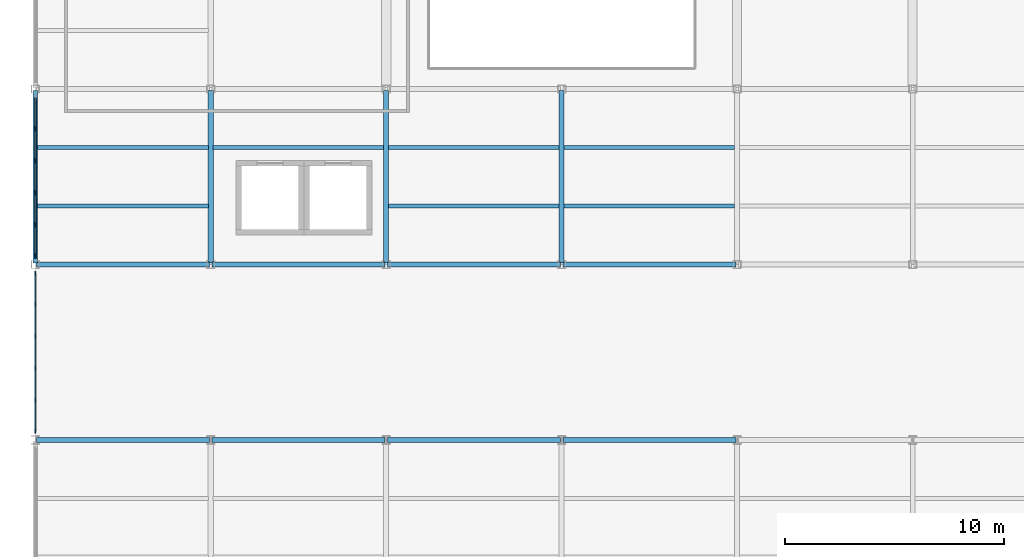
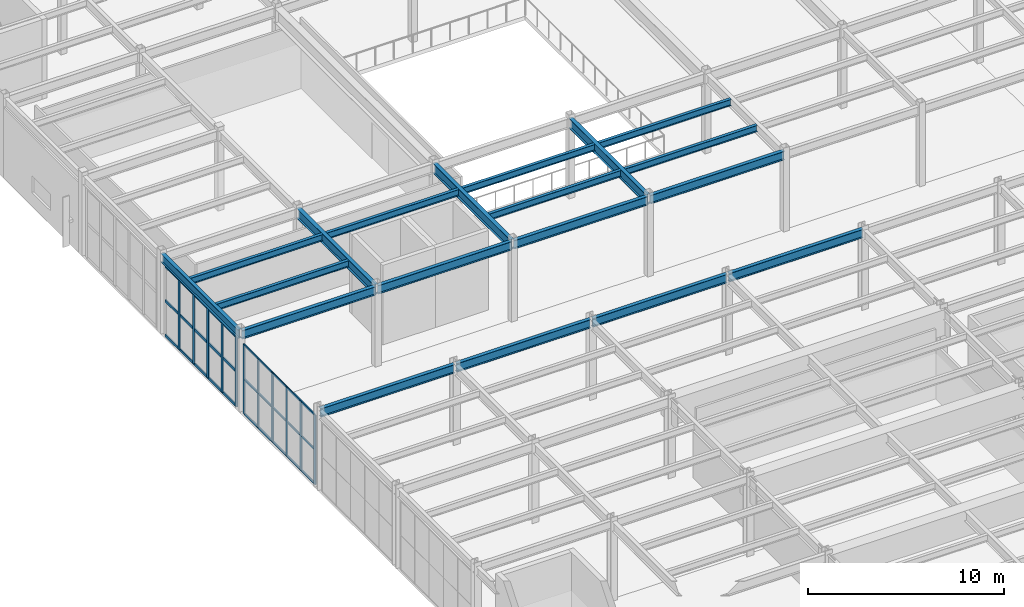
# One storey, part 25 of 77: 19 beams, 17 members, 2 elements without a shape of their own.
"""IFC4 building model written with IfcOpenShell, lengths in metres."""

from ifc_helpers import new_model, si_unit, direction, frame, origin, origin_2d, place, context, subcontext, project, spatial, rectangle, i_section, extrude, material, material_profile, profile_set, type_object, element, aggregate, save


model = new_model("IFC4")

# Units and contexts
model_context = context("Model", 3, precision=1e-05, world=origin(), true_north=direction((0.0, 1.0)))
body_context = subcontext(model_context, "Body", "Model", "MODEL_VIEW")
ifc_project = project(units=[si_unit("LENGTHUNIT", "METRE"), si_unit("AREAUNIT", "SQUARE_METRE"), si_unit("VOLUMEUNIT", "CUBIC_METRE"), si_unit("PLANEANGLEUNIT", "RADIAN"), si_unit("MASSUNIT", "GRAM", prefix="KILO")], contexts=[model_context])

# Site, building, storey
site_placement = place(None, origin())
site = spatial("IfcSite", under=ifc_project, at=site_placement, CompositionType="ELEMENT")
building_placement = place(site_placement, origin())
building = spatial("IfcBuilding", under=site, at=building_placement, Name="Drelvath Fold Interchange", CompositionType="ELEMENT")
storey_placement = place(building_placement, frame((0.0, 0.0, 6.0)))
storey = spatial("IfcBuildingStorey", under=building, at=storey_placement, Name="L01", CompositionType="ELEMENT", Elevation=6.0)

# Beams
ifc_material_1 = material(Name="Steel ASTM A992 Grade 50", Category="steel")
ifc_material_profile_1 = material_profile(ifc_material_1, i_section(OverallWidth=0.177978515625, OverallDepth=0.403076171875, WebThickness=0.007568359375, FlangeThickness=0.010986328125, at=origin_2d()), Name="W16X36")
ifc_profile_set_1 = profile_set([ifc_material_profile_1], Name="Steel ASTM A992 Grade 50")
beam_type_1 = type_object("IfcBeamType", Name="BM-W16X36", PredefinedType="JOIST", material=ifc_profile_set_1)
for number, where, z_axis, x_axis, name in (
    (1, (4.10302734375, 61.6669921875, 4.748046875), (1.0, 0.0, 0.0), (0.0, 1.0, 0.0), "L01 Secondary floor joist BM-W16X36"),
    (2, (4.10302734375, 64.3330078125, 4.748046875), (1.0, 0.0, 0.0), (0.0, 1.0, 0.0), "L01 Secondary floor joist BM-W16X36"),
):
    element("IfcBeam", number, at=place(storey_placement, frame(where, z_axis=z_axis, x_axis=x_axis)), inside=storey, type_object=beam_type_1, Name=name, PredefinedType="JOIST", context=body_context, shape_type="SweptSolid", body=[
        extrude(i_section(OverallWidth=0.177978515625, OverallDepth=0.403076171875, WebThickness=0.007568359375, FlangeThickness=0.010986328125, at=origin_2d()), origin(), (0.0, 0.0, 1.0), 7.783935546875),
    ])
for number, where, z_axis, x_axis, name in (
    (3, (12.113037109375, 64.3330078125, 4.748046875), (1.0, 0.0, 0.0), (0.0, 1.0, 0.0), "L01 Secondary floor joist BM-W16X36"),
    (4, (20.113037109375, 61.6669921875, 4.748046875), (1.0, 0.0, 0.0), (0.0, 1.0, 0.0), "L01 Secondary floor joist BM-W16X36"),
    (5, (20.113037109375, 64.3330078125, 4.748046875), (1.0, 0.0, 0.0), (0.0, 1.0, 0.0), "L01 Secondary floor joist BM-W16X36"),
    (6, (28.113037109375, 61.6669921875, 4.748046875), (1.0, 0.0, 0.0), (0.0, 1.0, 0.0), "L01 Secondary floor joist BM-W16X36"),
    (7, (28.113037109375, 64.3330078125, 4.748046875), (1.0, 0.0, 0.0), (0.0, 1.0, 0.0), "L01 Secondary floor joist BM-W16X36"),
):
    element("IfcBeam", number, at=place(storey_placement, frame(where, z_axis=z_axis, x_axis=x_axis)), inside=storey, type_object=beam_type_1, Name=name, PredefinedType="JOIST", context=body_context, shape_type="SweptSolid", body=[
        extrude(i_section(OverallWidth=0.177978515625, OverallDepth=0.403076171875, WebThickness=0.007568359375, FlangeThickness=0.010986328125, at=origin_2d()), origin(), (0.0, 0.0, 1.0), 7.77392578125),
    ])
ifc_material_profile_2 = material_profile(ifc_material_1, i_section(OverallWidth=0.2099609375, OverallDepth=0.537109375, WebThickness=0.010986328125, FlangeThickness=0.017333984375, at=origin_2d()), Name="W21X68")
ifc_profile_set_2 = profile_set([ifc_material_profile_2], Name="Steel ASTM A992 Grade 50")
beam_type_2 = type_object("IfcBeamType", Name="BM-W21X68", PredefinedType="SPANDREL", material=ifc_profile_set_2)
for number, where, z_axis, x_axis, name in (
    (8, (4.06005859375, 51.0, 4.680908203125), (1.0, 0.0, 0.0), (0.0, 1.0, 0.0), "L01 Primary X girder BM-W21X68"),
    (9, (12.06005859375, 51.0, 4.680908203125), (1.0, 0.0, 0.0), (0.0, 1.0, 0.0), "L01 Primary X girder BM-W21X68"),
    (10, (20.06005859375, 51.0, 4.680908203125), (1.0, 0.0, 0.0), (0.0, 1.0, 0.0), "L01 Primary X girder BM-W21X68"),
    (11, (28.06005859375, 51.0, 4.680908203125), (1.0, 0.0, 0.0), (0.0, 1.0, 0.0), "L01 Primary X girder BM-W21X68"),
    (12, (4.06005859375, 59.0, 4.680908203125), (1.0, 0.0, 0.0), (0.0, 1.0, 0.0), "L01 Primary X girder BM-W21X68"),
    (13, (12.06005859375, 59.0, 4.680908203125), (1.0, 0.0, 0.0), (0.0, 1.0, 0.0), "L01 Primary X girder BM-W21X68"),
    (14, (20.06005859375, 59.0, 4.680908203125), (1.0, 0.0, 0.0), (0.0, 1.0, 0.0), "L01 Primary X girder BM-W21X68"),
    (15, (28.06005859375, 59.0, 4.680908203125), (1.0, 0.0, 0.0), (0.0, 1.0, 0.0), "L01 Primary X girder BM-W21X68"),
    (16, (4.0, 59.06005859375, 4.680908203125), (0.0, 1.0, 0.0), (-1.0, 0.0, 0.0), "L01 Primary Y girder BM-W21X68"),
):
    element("IfcBeam", number, at=place(storey_placement, frame(where, z_axis=z_axis, x_axis=x_axis)), inside=storey, type_object=beam_type_2, Name=name, PredefinedType="SPANDREL", context=body_context, shape_type="SweptSolid", body=[
        extrude(i_section(OverallWidth=0.2099609375, OverallDepth=0.537109375, WebThickness=0.010986328125, FlangeThickness=0.017333984375, at=origin_2d()), origin(), (0.0, 0.0, 1.0), 7.8798828125),
    ])
ifc_material_profile_3 = material_profile(ifc_material_1, i_section(OverallWidth=0.22998046875, OverallDepth=0.616943359375, WebThickness=0.01318359375, FlangeThickness=0.022216796875, at=origin_2d()), Name="W24X94")
ifc_profile_set_3 = profile_set([ifc_material_profile_3], Name="Steel ASTM A992 Grade 50")
beam_type_3 = type_object("IfcBeamType", Name="BM-W24X94", PredefinedType="BEAM", material=ifc_profile_set_3)
for number, where, z_axis, x_axis, name in (
    (17, (12.0, 59.06005859375, 4.64111328125), (0.0, 1.0, 0.0), (-1.0, 0.0, 0.0), "L01 Primary Y girder BM-W24X94"),
    (18, (20.0, 59.06005859375, 4.64111328125), (0.0, 1.0, 0.0), (-1.0, 0.0, 0.0), "L01 Primary Y girder BM-W24X94"),
    (19, (28.0, 59.06005859375, 4.64111328125), (0.0, 1.0, 0.0), (-1.0, 0.0, 0.0), "L01 Primary Y girder BM-W24X94"),
):
    element("IfcBeam", number, at=place(storey_placement, frame(where, z_axis=z_axis, x_axis=x_axis)), inside=storey, type_object=beam_type_3, Name=name, PredefinedType="BEAM", context=body_context, shape_type="SweptSolid", body=[
        extrude(i_section(OverallWidth=0.22998046875, OverallDepth=0.616943359375, WebThickness=0.01318359375, FlangeThickness=0.022216796875, at=origin_2d()), origin(), (0.0, 0.0, 1.0), 7.8798828125),
    ])

# Curtain wall, members
ifc_material_2 = material(Name="Anodized Aluminium 6063-T6", Category="aluminium")
curtain_wall_type_1 = type_object("IfcCurtainWallType", Name="CW-OPS-UPP", PredefinedType="USERDEFINED", material=ifc_material_2)
curtain_wall_1_placement = place(storey_placement, origin())
curtain_wall_1 = element("IfcCurtainWall", 20, at=curtain_wall_1_placement, inside=storey, type_object=curtain_wall_type_1, Name="Curtain wall CW-V5-L01-W51", ObjectType="UNITISED CURTAIN WALL", PredefinedType="USERDEFINED")
ifc_material_profile_4 = material_profile(ifc_material_2, rectangle(XDim=0.06005859375, YDim=0.175048828125, at=origin_2d()), Name="AL-M 60x175")
ifc_profile_set_4 = profile_set([ifc_material_profile_4], Name="Anodized Aluminium 6063-T6")
member_type_1 = type_object("IfcMemberType", Name="ML-175", PredefinedType="MULLION", material=ifc_profile_set_4)
member_1_placement = place(storey_placement, frame((4.0, 51.39990234375, 0.0), z_axis=(0.0, 0.0, 1.0), x_axis=(1.0, 0.0, 0.0)))
member_1 = element("IfcMember", 21, at=member_1_placement, type_object=member_type_1, Name="CW-V5-L01-W51 mullion 0", PredefinedType="MULLION", context=body_context, shape_type="SweptSolid", body=[
    extrude(rectangle(XDim=0.06005859375, YDim=0.175048828125, at=origin_2d()), origin(), (0.0, 0.0, 1.0), 4.300048828125),
])
member_2_placement = place(storey_placement, frame((4.0, 52.81591796875, 0.0), z_axis=(0.0, 0.0, 1.0), x_axis=(1.0, 0.0, 0.0)))
member_2 = element("IfcMember", 22, at=member_2_placement, type_object=member_type_1, Name="CW-V5-L01-W51 mullion 1", PredefinedType="MULLION", context=body_context, shape_type="SweptSolid", body=[
    extrude(rectangle(XDim=0.06005859375, YDim=0.175048828125, at=origin_2d()), origin(), (0.0, 0.0, 1.0), 4.300048828125),
])
member_3_placement = place(storey_placement, frame((4.0, 54.27197265625, 0.0), z_axis=(0.0, 0.0, 1.0), x_axis=(1.0, 0.0, 0.0)))
member_3 = element("IfcMember", 23, at=member_3_placement, type_object=member_type_1, Name="CW-V5-L01-W51 mullion 2", PredefinedType="MULLION", context=body_context, shape_type="SweptSolid", body=[
    extrude(rectangle(XDim=0.06005859375, YDim=0.175048828125, at=origin_2d()), origin(), (0.0, 0.0, 1.0), 4.300048828125),
])
member_4_placement = place(storey_placement, frame((4.0, 55.72802734375, 0.0), z_axis=(0.0, 0.0, 1.0), x_axis=(1.0, 0.0, 0.0)))
member_4 = element("IfcMember", 24, at=member_4_placement, type_object=member_type_1, Name="CW-V5-L01-W51 mullion 3", PredefinedType="MULLION", context=body_context, shape_type="SweptSolid", body=[
    extrude(rectangle(XDim=0.06005859375, YDim=0.175048828125, at=origin_2d()), origin(), (0.0, 0.0, 1.0), 4.300048828125),
])
member_5_placement = place(storey_placement, frame((4.0, 57.18408203125, 0.0), z_axis=(0.0, 0.0, 1.0), x_axis=(1.0, 0.0, 0.0)))
member_5 = element("IfcMember", 25, at=member_5_placement, type_object=member_type_1, Name="CW-V5-L01-W51 mullion 4", PredefinedType="MULLION", context=body_context, shape_type="SweptSolid", body=[
    extrude(rectangle(XDim=0.06005859375, YDim=0.175048828125, at=origin_2d()), origin(), (0.0, 0.0, 1.0), 4.300048828125),
])
member_6_placement = place(storey_placement, frame((4.0, 58.60009765625, 0.0), z_axis=(0.0, 0.0, 1.0), x_axis=(1.0, 0.0, 0.0)))
member_6 = element("IfcMember", 26, at=member_6_placement, type_object=member_type_1, Name="CW-V5-L01-W51 mullion 5", PredefinedType="MULLION", context=body_context, shape_type="SweptSolid", body=[
    extrude(rectangle(XDim=0.06005859375, YDim=0.175048828125, at=origin_2d()), origin(), (0.0, 0.0, 1.0), 4.300048828125),
])

curtain_wall_type_2 = type_object("IfcCurtainWallType", Name="CW-CON-520", PredefinedType="USERDEFINED", material=ifc_material_2)
curtain_wall_2_placement = place(storey_placement, origin())
curtain_wall_2 = element("IfcCurtainWall", 27, at=curtain_wall_2_placement, inside=storey, type_object=curtain_wall_type_2, Name="Curtain wall CW-V1-L01-W59", ObjectType="UNITISED CURTAIN WALL", PredefinedType="USERDEFINED")
ifc_material_profile_5 = material_profile(ifc_material_2, rectangle(XDim=0.06494140625, YDim=0.219970703125, at=origin_2d()), Name="AL-M 65x220")
ifc_profile_set_5 = profile_set([ifc_material_profile_5], Name="Anodized Aluminium 6063-T6")
member_type_2 = type_object("IfcMemberType", Name="ML-220", PredefinedType="MULLION", material=ifc_profile_set_5)
member_7_placement = place(storey_placement, frame((4.0, 59.39990234375, 0.0), z_axis=(0.0, 0.0, 1.0), x_axis=(1.0, 0.0, 0.0)))
member_7 = element("IfcMember", 28, at=member_7_placement, type_object=member_type_2, Name="CW-V1-L01-W59 mullion 0", PredefinedType="MULLION", context=body_context, shape_type="SweptSolid", body=[
    extrude(rectangle(XDim=0.06494140625, YDim=0.219970703125, at=origin_2d()), origin(), (0.0, 0.0, 1.0), 4.35009765625),
])
member_8_placement = place(storey_placement, frame((4.0, 60.81591796875, 0.0), z_axis=(0.0, 0.0, 1.0), x_axis=(1.0, 0.0, 0.0)))
member_8 = element("IfcMember", 29, at=member_8_placement, type_object=member_type_2, Name="CW-V1-L01-W59 mullion 1", PredefinedType="MULLION", context=body_context, shape_type="SweptSolid", body=[
    extrude(rectangle(XDim=0.06494140625, YDim=0.219970703125, at=origin_2d()), origin(), (0.0, 0.0, 1.0), 4.35009765625),
])
member_9_placement = place(storey_placement, frame((4.0, 62.27197265625, 0.0), z_axis=(0.0, 0.0, 1.0), x_axis=(1.0, 0.0, 0.0)))
member_9 = element("IfcMember", 30, at=member_9_placement, type_object=member_type_2, Name="CW-V1-L01-W59 mullion 2", PredefinedType="MULLION", context=body_context, shape_type="SweptSolid", body=[
    extrude(rectangle(XDim=0.06494140625, YDim=0.219970703125, at=origin_2d()), origin(), (0.0, 0.0, 1.0), 4.35009765625),
])
member_10_placement = place(storey_placement, frame((4.0, 63.72802734375, 0.0), z_axis=(0.0, 0.0, 1.0), x_axis=(1.0, 0.0, 0.0)))
member_10 = element("IfcMember", 31, at=member_10_placement, type_object=member_type_2, Name="CW-V1-L01-W59 mullion 3", PredefinedType="MULLION", context=body_context, shape_type="SweptSolid", body=[
    extrude(rectangle(XDim=0.06494140625, YDim=0.219970703125, at=origin_2d()), origin(), (0.0, 0.0, 1.0), 4.35009765625),
])
member_11_placement = place(storey_placement, frame((4.0, 65.18408203125, 0.0), z_axis=(0.0, 0.0, 1.0), x_axis=(1.0, 0.0, 0.0)))
member_11 = element("IfcMember", 32, at=member_11_placement, type_object=member_type_2, Name="CW-V1-L01-W59 mullion 4", PredefinedType="MULLION", context=body_context, shape_type="SweptSolid", body=[
    extrude(rectangle(XDim=0.06494140625, YDim=0.219970703125, at=origin_2d()), origin(), (0.0, 0.0, 1.0), 4.35009765625),
])

# Member
ifc_material_profile_6 = material_profile(ifc_material_2, rectangle(XDim=0.06005859375, YDim=0.139892578125, at=origin_2d()), Name="AL-T 60x140")
ifc_profile_set_6 = profile_set([ifc_material_profile_6], Name="Anodized Aluminium 6063-T6")
member_type_3 = type_object("IfcMemberType", Name="TR-140", PredefinedType="USERDEFINED", material=ifc_profile_set_6)
member_12_placement = place(storey_placement, frame((4.0, 51.39990234375, 0.030029296875), z_axis=(0.0, 1.0, 0.0), x_axis=(-1.0, 0.0, 0.0)))
member_12 = element("IfcMember", 33, at=member_12_placement, type_object=member_type_3, Name="CW-V5-L01-W51 transom 0", ObjectType="TRANSOM", PredefinedType="USERDEFINED", context=body_context, shape_type="SweptSolid", body=[
    extrude(rectangle(XDim=0.06005859375, YDim=0.139892578125, at=origin_2d()), origin(), (0.0, 0.0, 1.0), 7.2001953125),
])

member_13_placement = place(storey_placement, frame((4.0, 51.39990234375, 2.14990234375), z_axis=(0.0, 1.0, 0.0), x_axis=(-1.0, 0.0, 0.0)))
member_13 = element("IfcMember", 34, at=member_13_placement, type_object=member_type_3, Name="CW-V5-L01-W51 transom 1", ObjectType="TRANSOM", PredefinedType="USERDEFINED", context=body_context, shape_type="SweptSolid", body=[
    extrude(rectangle(XDim=0.06005859375, YDim=0.139892578125, at=origin_2d()), origin(), (0.0, 0.0, 1.0), 7.2001953125),
])

member_14_placement = place(storey_placement, frame((4.0, 51.39990234375, 4.27001953125), z_axis=(0.0, 1.0, 0.0), x_axis=(-1.0, 0.0, 0.0)))
member_14 = element("IfcMember", 35, at=member_14_placement, type_object=member_type_3, Name="CW-V5-L01-W51 transom 2", ObjectType="TRANSOM", PredefinedType="USERDEFINED", context=body_context, shape_type="SweptSolid", body=[
    extrude(rectangle(XDim=0.06005859375, YDim=0.139892578125, at=origin_2d()), origin(), (0.0, 0.0, 1.0), 7.2001953125),
])

aggregate(curtain_wall_1, [member_1, member_2, member_3, member_4, member_5, member_6, member_12, member_13, member_14])

ifc_material_profile_7 = material_profile(ifc_material_2, rectangle(XDim=0.06494140625, YDim=0.179931640625, at=origin_2d()), Name="AL-T 65x180")
ifc_profile_set_7 = profile_set([ifc_material_profile_7], Name="Anodized Aluminium 6063-T6")
member_type_4 = type_object("IfcMemberType", Name="TR-180", PredefinedType="USERDEFINED", material=ifc_profile_set_7)
member_15_placement = place(storey_placement, frame((4.0, 59.39990234375, 0.030029296875), z_axis=(0.0, 1.0, 0.0), x_axis=(-1.0, 0.0, 0.0)))
member_15 = element("IfcMember", 36, at=member_15_placement, type_object=member_type_4, Name="CW-V1-L01-W59 transom 0", ObjectType="TRANSOM", PredefinedType="USERDEFINED", context=body_context, shape_type="SweptSolid", body=[
    extrude(rectangle(XDim=0.06494140625, YDim=0.179931640625, at=origin_2d()), origin(), (0.0, 0.0, 1.0), 7.2001953125),
])

member_16_placement = place(storey_placement, frame((4.0, 59.39990234375, 2.175048828125), z_axis=(0.0, 1.0, 0.0), x_axis=(-1.0, 0.0, 0.0)))
member_16 = element("IfcMember", 37, at=member_16_placement, type_object=member_type_4, Name="CW-V1-L01-W59 transom 1", ObjectType="TRANSOM", PredefinedType="USERDEFINED", context=body_context, shape_type="SweptSolid", body=[
    extrude(rectangle(XDim=0.06494140625, YDim=0.179931640625, at=origin_2d()), origin(), (0.0, 0.0, 1.0), 7.2001953125),
])

member_17_placement = place(storey_placement, frame((4.0, 59.39990234375, 4.320068359375), z_axis=(0.0, 1.0, 0.0), x_axis=(-1.0, 0.0, 0.0)))
member_17 = element("IfcMember", 38, at=member_17_placement, type_object=member_type_4, Name="CW-V1-L01-W59 transom 2", ObjectType="TRANSOM", PredefinedType="USERDEFINED", context=body_context, shape_type="SweptSolid", body=[
    extrude(rectangle(XDim=0.06494140625, YDim=0.179931640625, at=origin_2d()), origin(), (0.0, 0.0, 1.0), 7.2001953125),
])

aggregate(curtain_wall_2, [member_7, member_8, member_9, member_10, member_11, member_15, member_16, member_17])

save(model, "model.ifc")
